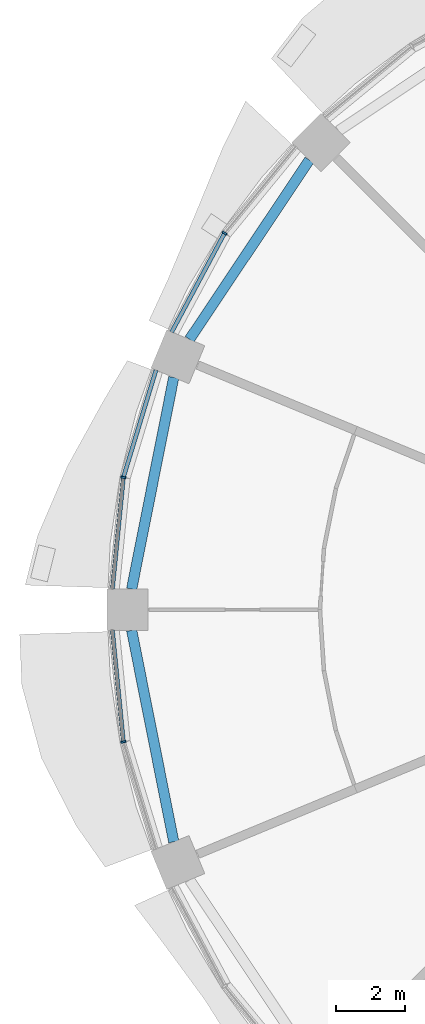
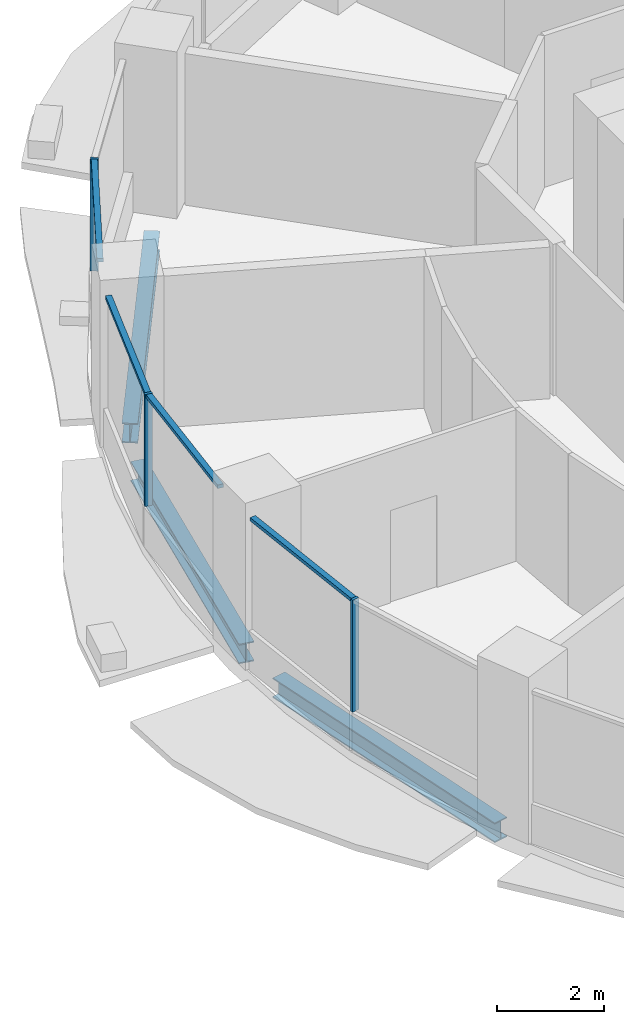
# One storey, part 4 of 15: 7 members, 3 beams, 3 elements without a shape of their own.
"""IFC4 building model written with IfcOpenShell, lengths in metres."""

from ifc_helpers import new_model, si_unit, direction, frame, origin, origin_2d, place, context, subcontext, project, spatial, rectangle, i_section, extrude, material, material_profile, profile_set, type_object, element, aggregate, save


model = new_model("IFC4")

# Units and contexts
model_context = context("Model", 3, precision=1e-05, world=origin(), true_north=direction((0.0, 1.0)))
body_context = subcontext(model_context, "Body", "Model", "MODEL_VIEW")
ifc_project = project(units=[si_unit("LENGTHUNIT", "METRE"), si_unit("AREAUNIT", "SQUARE_METRE"), si_unit("VOLUMEUNIT", "CUBIC_METRE"), si_unit("PLANEANGLEUNIT", "RADIAN"), si_unit("MASSUNIT", "GRAM", prefix="KILO")], contexts=[model_context])

# Site, building, storey
site_placement = place(None, origin())
site = spatial("IfcSite", under=ifc_project, at=site_placement, CompositionType="ELEMENT")
building_placement = place(site_placement, origin())
building = spatial("IfcBuilding", under=site, at=building_placement, Name="Polderwave Tower", CompositionType="ELEMENT")
storey_placement = place(building_placement, frame((0.0, 0.0, 22.39990234375)))
storey = spatial("IfcBuildingStorey", under=building, at=storey_placement, Name="L05", CompositionType="ELEMENT", Elevation=22.39990234375)

# Curtain wall, member
ifc_material_1 = material(Name="Aluminium 6063-T6 and glass", Category="aluminium")
curtain_wall_type = type_object("IfcCurtainWallType", Name="Growing floor ribbon glazing wall", PredefinedType="NOTDEFINED", material=ifc_material_1)
curtain_wall_1_placement = place(storey_placement, origin())
curtain_wall_1 = element("IfcCurtainWall", 1, at=curtain_wall_1_placement, inside=storey, type_object=curtain_wall_type, Name="CW2 L05 06", PredefinedType="NOTDEFINED")
ifc_material_2 = material(Name="Aluminium 6063-T6", Category="aluminium")
ifc_material_profile_1 = material_profile(ifc_material_2, rectangle(XDim=0.14990234375, YDim=0.06005859375, at=origin_2d()), Name="AL 60x150")
ifc_profile_set_1 = profile_set([ifc_material_profile_1], Name="Aluminium 6063-T6")
member_type_1 = type_object("IfcMemberType", Name="Growing floor ribbon glazing mullion 60x150", PredefinedType="MULLION", material=ifc_profile_set_1)
member_1_placement = place(storey_placement, frame((-16.405029296875, 10.9609375, 0.900146484375), z_axis=(0.0, 0.0, 1.0), x_axis=(0.831485126426, -0.555547013791, 0.0)))
member_1 = element("IfcMember", 2, at=member_1_placement, type_object=member_type_1, Name="CW2 mullion 1", PredefinedType="MULLION", context=body_context, shape_type="SweptSolid", body=[
    extrude(rectangle(XDim=0.14990234375, YDim=0.06005859375, at=origin_2d()), origin(), (0.0, 0.0, 1.0), 2.550048828125),
])

curtain_wall_2_placement = place(storey_placement, origin())
curtain_wall_2 = element("IfcCurtainWall", 3, at=curtain_wall_2_placement, inside=storey, type_object=curtain_wall_type, Name="CW2 L05 07", PredefinedType="NOTDEFINED")
member_2_placement = place(storey_placement, frame((-19.35107421875, 3.84912109375, 0.900146484375), z_axis=(0.0, 0.0, 1.0), x_axis=(0.980775404738, -0.19513996377, 0.0)))
member_2 = element("IfcMember", 4, at=member_2_placement, type_object=member_type_1, Name="CW2 mullion 1", PredefinedType="MULLION", context=body_context, shape_type="SweptSolid", body=[
    extrude(rectangle(XDim=0.14990234375, YDim=0.06005859375, at=origin_2d()), origin(), (0.0, 0.0, 1.0), 2.550048828125),
])

curtain_wall_3_placement = place(storey_placement, origin())
curtain_wall_3 = element("IfcCurtainWall", 5, at=curtain_wall_3_placement, inside=storey, type_object=curtain_wall_type, Name="CW2 L05 08", PredefinedType="NOTDEFINED")
member_3_placement = place(storey_placement, frame((-19.35107421875, -3.84912109375, 0.900146484375), z_axis=(0.0, 0.0, 1.0), x_axis=(0.980775404738, 0.19513996377, 0.0)))
member_3 = element("IfcMember", 6, at=member_3_placement, type_object=member_type_1, Name="CW2 mullion 1", PredefinedType="MULLION", context=body_context, shape_type="SweptSolid", body=[
    extrude(rectangle(XDim=0.14990234375, YDim=0.06005859375, at=origin_2d()), origin(), (0.0, 0.0, 1.0), 2.550048828125),
])

# Member
ifc_material_profile_2 = material_profile(ifc_material_2, rectangle(XDim=0.1201171875, YDim=0.080078125, at=origin_2d()), Name="AL 80x120")
ifc_profile_set_2 = profile_set([ifc_material_profile_2], Name="Aluminium 6063-T6")
member_type_2 = type_object("IfcMemberType", Name="Growing floor ribbon glazing transom 80x120", PredefinedType="USERDEFINED", material=ifc_profile_set_2)
member_4_placement = place(storey_placement, frame((-16.419189453125, 10.9345703125, 3.41015625), z_axis=(-0.471442050997, -0.881897041923, 0.0), x_axis=(0.881897041923, -0.471442050997, 0.0)))
member_4 = element("IfcMember", 7, at=member_4_placement, type_object=member_type_2, Name="CW2 transom 2", ObjectType="TRANSOM", PredefinedType="USERDEFINED", context=body_context, shape_type="SweptSolid", body=[
    extrude(rectangle(XDim=0.1201171875, YDim=0.080078125, at=origin_2d()), origin(), (0.0, 0.0, 1.0), 3.234619140625),
])

aggregate(curtain_wall_1, [member_1, member_4])

member_5_placement = place(storey_placement, frame((-18.403076171875, 6.972900390625, 3.41015625), z_axis=(-0.29036559607, -0.956915785542, 0.0), x_axis=(0.956915785542, -0.29036559607, 0.0)))
member_5 = element("IfcMember", 8, at=member_5_placement, type_object=member_type_2, Name="CW2 transom 1", ObjectType="TRANSOM", PredefinedType="USERDEFINED", context=body_context, shape_type="SweptSolid", body=[
    extrude(rectangle(XDim=0.1201171875, YDim=0.080078125, at=origin_2d()), origin(), (0.0, 0.0, 1.0), 3.234619140625),
])

member_6_placement = place(storey_placement, frame((-19.35400390625, 3.819091796875, 3.41015625), z_axis=(-0.097971603742, -0.995189210583, 0.0), x_axis=(0.995189210583, -0.097971603742, 0.0)))
member_6 = element("IfcMember", 9, at=member_6_placement, type_object=member_type_2, Name="CW2 transom 2", ObjectType="TRANSOM", PredefinedType="USERDEFINED", context=body_context, shape_type="SweptSolid", body=[
    extrude(rectangle(XDim=0.1201171875, YDim=0.080078125, at=origin_2d()), origin(), (0.0, 0.0, 1.0), 3.234619140625),
])

aggregate(curtain_wall_2, [member_2, member_5, member_6])

member_7_placement = place(storey_placement, frame((-19.6708984375, -0.60009765625, 3.41015625), z_axis=(0.097971603742, -0.995189210583, 0.0), x_axis=(0.995189210583, 0.097971603742, 0.0)))
member_7 = element("IfcMember", 10, at=member_7_placement, type_object=member_type_2, Name="CW2 transom 1", ObjectType="TRANSOM", PredefinedType="USERDEFINED", context=body_context, shape_type="SweptSolid", body=[
    extrude(rectangle(XDim=0.1201171875, YDim=0.080078125, at=origin_2d()), origin(), (0.0, 0.0, 1.0), 3.234619140625),
])

aggregate(curtain_wall_3, [member_3, member_7])

# Beams
ifc_material_3 = material(Name="Steel S355", Category="steel")
ifc_material_profile_3 = material_profile(ifc_material_3, i_section(OverallWidth=0.300048828125, OverallDepth=0.449951171875, WebThickness=0.013916015625, FlangeThickness=0.02587890625, at=origin_2d()), Name="HE 450 B")
ifc_profile_set_3 = profile_set([ifc_material_profile_3], Name="Steel S355")
beam_type = type_object("IfcBeamType", Name="RING BEAM HE 450 B", PredefinedType="BEAM", material=ifc_profile_set_3)
beam_placement = place(storey_placement, frame((-13.9375, 13.089111328125, -0.574951171875), z_axis=(-0.55556118785, -0.831475656021, 0.0), x_axis=(0.831475656021, -0.55556118785, 0.0)))
element("IfcBeam", 11, at=beam_placement, inside=storey, type_object=beam_type, Name="ST-RB-L05-06", PredefinedType="BEAM", context=body_context, shape_type="SweptSolid", body=[
    extrude(i_section(OverallWidth=0.300048828125, OverallDepth=0.449951171875, WebThickness=0.013916015625, FlangeThickness=0.02587890625, at=origin_2d()), origin(), (0.0, 0.0, 1.0), 6.27978515625),
])
for number, where, z_axis, x_axis, name in (
    (12, (-17.885498046875, 6.759033203125, -0.574951171875), (-0.195091732249, -0.980784999889, 0.0), (0.980784999889, -0.195091732249, 0.0), "ST-RB-L05-07"),
    (13, (-19.110595703125, -0.60009765625, -0.574951171875), (0.195091732249, -0.980784999889, 0.0), (0.980784999889, 0.195091732249, 0.0), "ST-RB-L05-08"),
):
    element("IfcBeam", number, at=place(storey_placement, frame(where, z_axis=z_axis, x_axis=x_axis)), inside=storey, type_object=beam_type, Name=name, PredefinedType="BEAM", context=body_context, shape_type="SweptSolid", body=[
        extrude(i_section(OverallWidth=0.300048828125, OverallDepth=0.449951171875, WebThickness=0.013916015625, FlangeThickness=0.02587890625, at=origin_2d()), origin(), (0.0, 0.0, 1.0), 6.279541015625),
    ])

save(model, "model.ifc")
